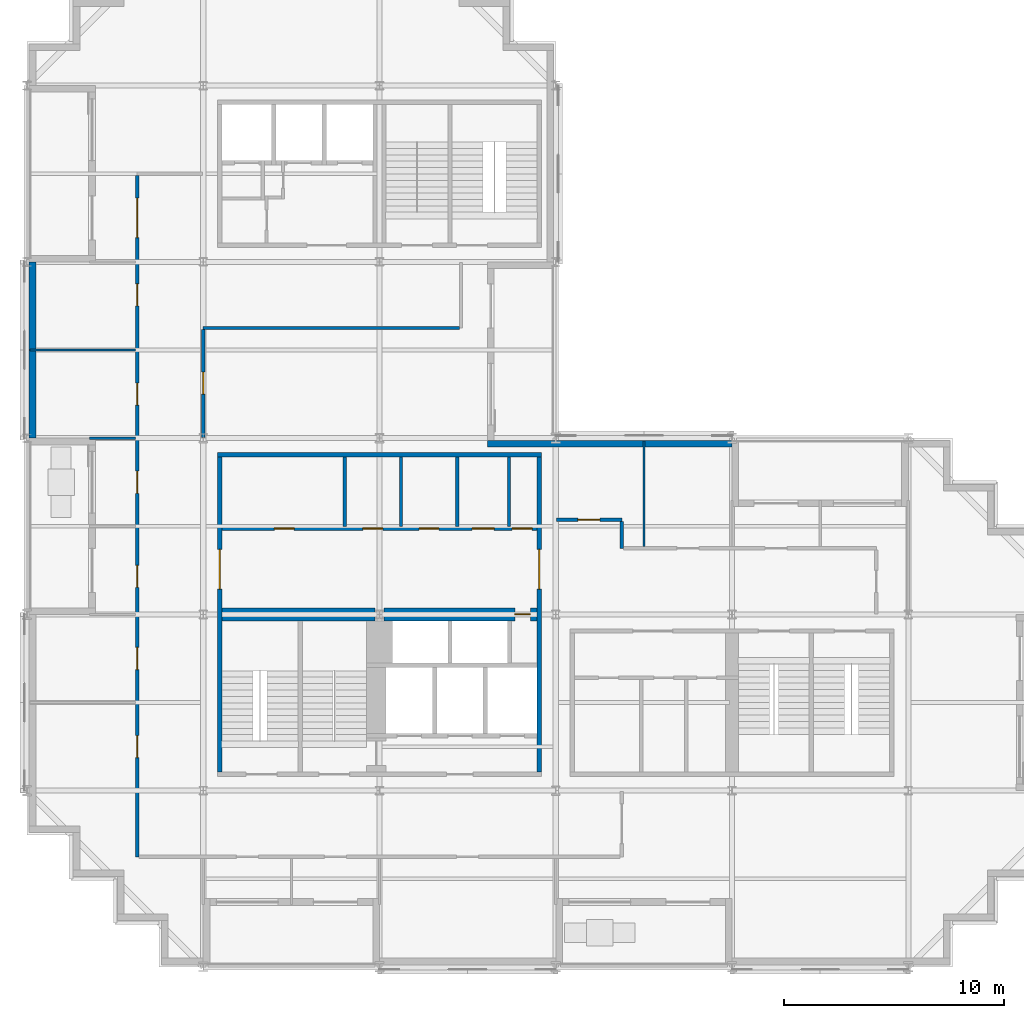
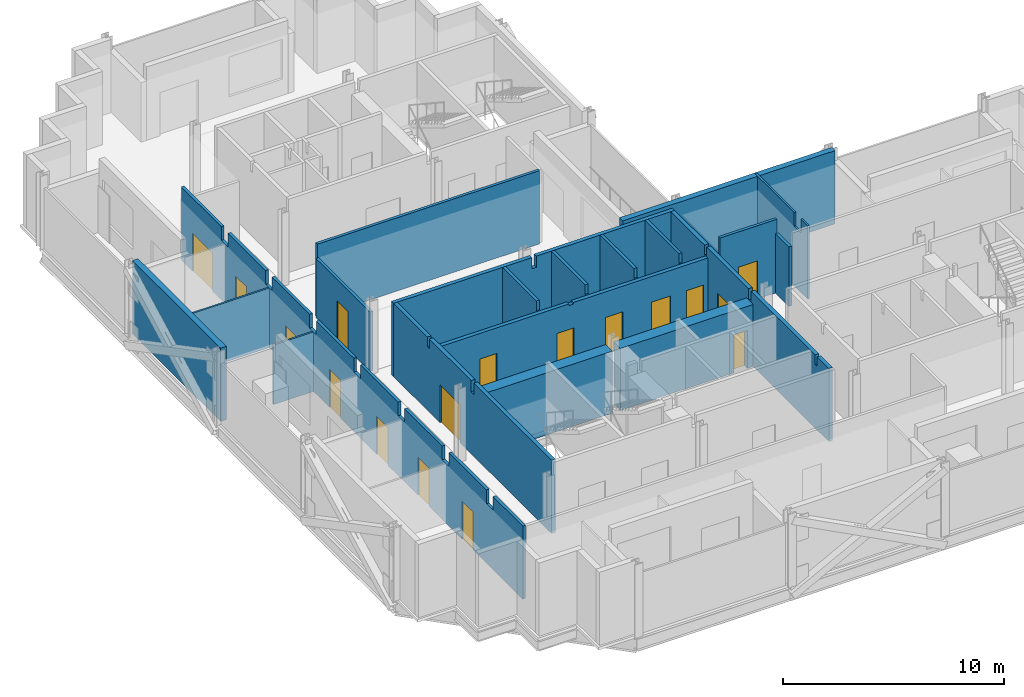
# One storey, part 6 of 12: 20 walls, 17 doors, 17 openings.
"""IFC4 building model written with IfcOpenShell, lengths in metres."""

from ifc_helpers import new_model, si_unit, direction, frame, frame_2d, origin, place, context, subcontext, project, spatial, polyline, rectangle, outline, extrude, material, layer, layer_set, type_object, element, fill, save


model = new_model("IFC4")

# Units and contexts
model_context = context("Model", 3, precision=1e-05, world=origin(), true_north=direction((0.0, 1.0)))
body_context = subcontext(model_context, "Body", "Model", "MODEL_VIEW")
ifc_project = project(units=[si_unit("LENGTHUNIT", "METRE"), si_unit("AREAUNIT", "SQUARE_METRE"), si_unit("VOLUMEUNIT", "CUBIC_METRE"), si_unit("PLANEANGLEUNIT", "RADIAN"), si_unit("MASSUNIT", "GRAM", prefix="KILO")], contexts=[model_context])

# Site, building, storey
site_placement = place(None, origin())
site = spatial("IfcSite", under=ifc_project, at=site_placement, CompositionType="ELEMENT")
building_placement = place(site_placement, origin())
building = spatial("IfcBuilding", under=site, at=building_placement, Name="Immortelle Media Tower", CompositionType="ELEMENT")
storey_placement = place(building_placement, frame((0.0, 0.0, 136.800048828125)))
storey = spatial("IfcBuildingStorey", under=building, at=storey_placement, Name="L27", CompositionType="ELEMENT", Elevation=136.800048828125)

# Wall, opening, door
ifc_material_1 = material(Name="Fire-rated masonry blockwork", Category="masonry")
ifc_layer_1 = layer(ifc_material_1, 0.60009765625)
ifc_layer_set_1 = layer_set([ifc_layer_1], Name="Fire-rated masonry blockwork")
wall_type_1 = type_object("IfcWallType", Name="Core grid-line wall 600", PredefinedType="PARTITIONING", material=ifc_layer_set_1)
wall_1_placement = place(storey_placement, frame((16.21044921875, 16.0, 0.0), z_axis=(0.0, 0.0, 1.0), x_axis=(1.0, 0.0, 0.0)))
wall_1 = element("IfcWall", 1, at=wall_1_placement, inside=storey, type_object=wall_type_1, Name="Core grid-line wall SW", PredefinedType="PARTITIONING", context=body_context, shape_type="SweptSolid", body=[
    extrude(rectangle(XDim=6.939453125, YDim=0.60009765625, at=frame_2d((3.4697265625, 0.0))), origin(), (0.0, 0.0, 1.0), 3.431884765625),
])
opening_1_placement = place(wall_1_placement, frame((6.639404296875, 0.0, 0.0), z_axis=(0.0, 0.0, 1.0), x_axis=(-1.0, 0.0, 0.0)))
opening_1 = element("IfcOpeningElement", 2, at=opening_1_placement, cuts=wall_1, Name="Opening C2-K014", PredefinedType="OPENING", context=body_context, shape_type="SweptSolid", body=[
    extrude(rectangle(XDim=0.699951171875, YDim=2.10009765625, at=frame_2d((0.35009765625, 1.050048828125))), frame((0.0, 0.31005859375, 0.0), z_axis=(0.0, -1.0, 0.0), x_axis=(1.0, 0.0, 0.0)), (0.0, 0.0, 1.0), 0.6201171875),
])
ifc_material_2 = material(Name="Galvanised steel door leaf and frame ASTM A653", Category="steel")
door_type_1 = type_object("IfcDoorType", Name="Service door 700 x 2100", OperationType="NOTDEFINED", PredefinedType="NOTDEFINED", material=ifc_material_2)
door_1_placement = place(opening_1_placement, origin())
door_1 = element("IfcDoor", 3, at=door_1_placement, inside=storey, type_object=door_type_1, Name="Service C2-K014", OperationType="SINGLE_SWING_LEFT", OverallHeight=2.10009765625, OverallWidth=0.699951171875, PredefinedType="NOTDEFINED", context=body_context, shape_type="SweptSolid", body=[
    extrude(rectangle(XDim=0.699951171875, YDim=2.10009765625, at=frame_2d((0.35009765625, 1.050048828125))), frame((0.0, 0.02490234375, 0.0), z_axis=(0.0, -1.0, 0.0), x_axis=(1.0, 0.0, 0.0)), (0.0, 0.0, 1.0), 0.050048828125),
])
fill(opening_1, door_1)

# Walls
ifc_material_3 = material(Name="Fire-rated gypsum board", Category="gypsum")
ifc_layer_2 = layer(ifc_material_3, 0.02490234375)
ifc_material_4 = material(Name="Steel ASTM A653 SS Gr 50 stud frame with mineral wool", Category="steel")
ifc_layer_3 = layer(ifc_material_4, 0.10009765625)
ifc_layer_4 = layer(ifc_material_3, 0.02490234375)
ifc_layer_set_2 = layer_set([ifc_layer_2, ifc_layer_3, ifc_layer_4], Name="Steel ASTM A653 SS Gr 50 stud frame with mineral wool")
wall_type_2 = type_object("IfcWallType", Name="Core partition 150", PredefinedType="PARTITIONING", material=ifc_layer_set_2)
for number, where, z_axis, x_axis, name in (
    (4, (14.425048828125, 20.0, 0.0), (0.0, 0.0, 1.0), (0.0, 1.0, 0.0), "Core partition SW"),
    (5, (16.97509765625, 20.0, 0.0), (0.0, 0.0, 1.0), (0.0, 1.0, 0.0), "Core partition SW"),
    (6, (19.52490234375, 20.0, 0.0), (0.0, 0.0, 1.0), (0.0, 1.0, 0.0), "Core partition SW"),
    (7, (21.875, 20.0, 0.0), (0.0, 0.0, 1.0), (0.0, 1.0, 0.0), "Core partition SW"),
):
    element("IfcWall", number, at=place(storey_placement, frame(where, z_axis=z_axis, x_axis=x_axis)), inside=storey, type_object=wall_type_2, Name=name, PredefinedType="PARTITIONING", context=body_context, shape_type="SweptSolid", body=[
        extrude(outline(polyline([(0.0, 0.0), (3.14990234375, 0.0), (3.14990234375, 4.050048828125), (0.08740234375, 4.050048828125), (0.08642578125, 3.51806640625), (0.0, 3.51806640625), (0.0, 0.0)])), frame((0.0, 0.074951171875, 0.0), z_axis=(0.0, -1.0, 0.0), x_axis=(1.0, 0.0, 0.0)), (0.0, 0.0, 1.0), 0.14990234375),
    ])
ifc_layer_5 = layer(ifc_material_3, 0.03759765625)
ifc_layer_6 = layer(ifc_material_4, 0.125)
ifc_layer_7 = layer(ifc_material_3, 0.03759765625)
ifc_layer_set_3 = layer_set([ifc_layer_5, ifc_layer_6, ifc_layer_7], Name="Steel ASTM A653 SS Gr 50 stud frame with mineral wool")
wall_type_3 = type_object("IfcWallType", Name="Core shaft wall 200", PredefinedType="PARTITIONING", material=ifc_layer_set_3)
wall_2_placement = place(storey_placement, frame((8.64990234375, 23.25, 0.0), z_axis=(0.0, 0.0, 1.0), x_axis=(1.0, 0.0, 0.0)))
element("IfcWall", 8, at=wall_2_placement, inside=storey, type_object=wall_type_3, Name="Core shaft wall SW", PredefinedType="PARTITIONING", context=body_context, shape_type="SweptSolid", body=[
    extrude(outline(polyline([(0.0, 0.0), (14.7001953125, 0.0), (14.699951171875, 4.050048828125), (7.469482421875, 4.050048828125), (7.468505859375, 3.431884765625), (7.2314453125, 3.431884765625), (7.23046875, 4.050048828125), (0.0, 4.050048828125), (0.0, 0.0)])), frame((0.0, 0.10009765625, 0.0), z_axis=(0.0, -1.0, 0.0), x_axis=(1.0, 0.0, 0.0)), (0.0, 0.0, 1.0), 0.199951171875),
])

# Wall, openings, doors
wall_3_placement = place(storey_placement, frame((8.85009765625, 19.89990234375, 0.0), z_axis=(0.0, 0.0, 1.0), x_axis=(1.0, 0.0, 0.0)))
wall_3 = element("IfcWall", 9, at=wall_3_placement, inside=storey, type_object=wall_type_3, Name="Core shaft wall SW", PredefinedType="PARTITIONING", context=body_context, shape_type="SweptSolid", body=[
    extrude(outline(polyline([(0.0, 0.0), (14.2998046875, 0.0), (14.300048828125, 3.51806640625), (7.26953125, 3.51806640625), (7.2685546875, 3.431884765625), (7.031494140625, 3.431884765625), (7.030517578125, 3.51806640625), (0.0, 3.51806640625), (0.0, 0.0)])), frame((0.0, 0.10009765625, 0.0), z_axis=(0.0, -1.0, 0.0), x_axis=(1.0, 0.0, 0.0)), (0.0, 0.0, 1.0), 0.199951171875),
])
opening_2_placement = place(wall_3_placement, frame((2.375, 0.0, 0.0)))
opening_2 = element("IfcOpeningElement", 10, at=opening_2_placement, cuts=wall_3, Name="Opening C2-K003", PredefinedType="OPENING", context=body_context, shape_type="SweptSolid", body=[
    extrude(rectangle(XDim=0.89990234375, YDim=2.10009765625, at=frame_2d((0.449951171875, 1.050048828125))), frame((0.0, 0.10986328125, 0.0), z_axis=(0.0, -1.0, 0.0), x_axis=(1.0, 0.0, 0.0)), (0.0, 0.0, 1.0), 0.219970703125),
])
opening_3_placement = place(wall_3_placement, frame((6.39990234375, 0.0, 0.0)))
opening_3 = element("IfcOpeningElement", 11, at=opening_3_placement, cuts=wall_3, Name="Opening C2-K005", PredefinedType="OPENING", context=body_context, shape_type="SweptSolid", body=[
    extrude(rectangle(XDim=0.89990234375, YDim=2.10009765625, at=frame_2d((0.449951171875, 1.050048828125))), frame((0.0, 0.10986328125, 0.0), z_axis=(0.0, -1.0, 0.0), x_axis=(1.0, 0.0, 0.0)), (0.0, 0.0, 1.0), 0.219970703125),
])
opening_4_placement = place(wall_3_placement, frame((8.949951171875, 0.0, 0.0)))
opening_4 = element("IfcOpeningElement", 12, at=opening_4_placement, cuts=wall_3, Name="Opening C2-K008", PredefinedType="OPENING", context=body_context, shape_type="SweptSolid", body=[
    extrude(rectangle(XDim=0.89990234375, YDim=2.10009765625, at=frame_2d((0.449951171875, 1.050048828125))), frame((0.0, 0.10986328125, 0.0), z_axis=(0.0, -1.0, 0.0), x_axis=(1.0, 0.0, 0.0)), (0.0, 0.0, 1.0), 0.219970703125),
])
opening_5_placement = place(wall_3_placement, frame((11.35009765625, 0.0, 0.0)))
opening_5 = element("IfcOpeningElement", 13, at=opening_5_placement, cuts=wall_3, Name="Opening C2-K011", PredefinedType="OPENING", context=body_context, shape_type="SweptSolid", body=[
    extrude(rectangle(XDim=1.0, YDim=2.10009765625, at=frame_2d((0.5, 1.050048828125))), frame((0.0, 0.10986328125, 0.0), z_axis=(0.0, -1.0, 0.0), x_axis=(1.0, 0.0, 0.0)), (0.0, 0.0, 1.0), 0.219970703125),
])
opening_6_placement = place(wall_3_placement, frame((13.175048828125, 0.0, 0.0)))
opening_6 = element("IfcOpeningElement", 14, at=opening_6_placement, cuts=wall_3, Name="Opening C2-K013", PredefinedType="OPENING", context=body_context, shape_type="SweptSolid", body=[
    extrude(rectangle(XDim=0.89990234375, YDim=2.10009765625, at=frame_2d((0.449951171875, 1.050048828125))), frame((0.0, 0.10986328125, 0.0), z_axis=(0.0, -1.0, 0.0), x_axis=(1.0, 0.0, 0.0)), (0.0, 0.0, 1.0), 0.219970703125),
])
ifc_material_5 = material(Name="Timber", Category="wood")
door_type_2 = type_object("IfcDoorType", Name="Accessible toilet door 1000 x 2100", OperationType="NOTDEFINED", PredefinedType="NOTDEFINED", material=ifc_material_5)
door_2_placement = place(opening_5_placement, origin())
door_2 = element("IfcDoor", 15, at=door_2_placement, inside=storey, type_object=door_type_2, Name="Accessible toilet C2-K011", OperationType="SINGLE_SWING_LEFT", OverallHeight=2.10009765625, OverallWidth=1.0, PredefinedType="NOTDEFINED", context=body_context, shape_type="SweptSolid", body=[
    extrude(rectangle(XDim=1.0, YDim=2.10009765625, at=frame_2d((0.5, 1.050048828125))), frame((0.0, 0.02490234375, 0.0), z_axis=(0.0, -1.0, 0.0), x_axis=(1.0, 0.0, 0.0)), (0.0, 0.0, 1.0), 0.050048828125),
])
fill(opening_5, door_2)
door_type_3 = type_object("IfcDoorType", Name="Room door 900 x 2100", OperationType="NOTDEFINED", PredefinedType="NOTDEFINED", material=ifc_material_5)
door_3_placement = place(opening_2_placement, origin())
door_3 = element("IfcDoor", 16, at=door_3_placement, inside=storey, type_object=door_type_3, Name="Room C2-K003", OperationType="SINGLE_SWING_LEFT", OverallHeight=2.10009765625, OverallWidth=0.89990234375, PredefinedType="NOTDEFINED", context=body_context, shape_type="SweptSolid", body=[
    extrude(rectangle(XDim=0.89990234375, YDim=2.10009765625, at=frame_2d((0.449951171875, 1.050048828125))), frame((0.0, 0.02490234375, 0.0), z_axis=(0.0, -1.0, 0.0), x_axis=(1.0, 0.0, 0.0)), (0.0, 0.0, 1.0), 0.050048828125),
])
fill(opening_2, door_3)
door_type_4 = type_object("IfcDoorType", Name="Service door 900 x 2100", OperationType="NOTDEFINED", PredefinedType="NOTDEFINED", material=ifc_material_2)
door_4_placement = place(opening_6_placement, origin())
door_4 = element("IfcDoor", 17, at=door_4_placement, inside=storey, type_object=door_type_4, Name="Service C2-K013", OperationType="SINGLE_SWING_RIGHT", OverallHeight=2.10009765625, OverallWidth=0.89990234375, PredefinedType="NOTDEFINED", context=body_context, shape_type="SweptSolid", body=[
    extrude(rectangle(XDim=0.89990234375, YDim=2.10009765625, at=frame_2d((0.449951171875, 1.050048828125))), frame((0.0, 0.02490234375, 0.0), z_axis=(0.0, -1.0, 0.0), x_axis=(1.0, 0.0, 0.0)), (0.0, 0.0, 1.0), 0.050048828125),
])
fill(opening_6, door_4)
door_type_5 = type_object("IfcDoorType", Name="Toilet door 900 x 2100", OperationType="NOTDEFINED", PredefinedType="NOTDEFINED", material=ifc_material_5)
door_5_placement = place(opening_3_placement, origin())
door_5 = element("IfcDoor", 18, at=door_5_placement, inside=storey, type_object=door_type_5, Name="Toilet C2-K005", OperationType="SINGLE_SWING_RIGHT", OverallHeight=2.10009765625, OverallWidth=0.89990234375, PredefinedType="NOTDEFINED", context=body_context, shape_type="SweptSolid", body=[
    extrude(rectangle(XDim=0.89990234375, YDim=2.10009765625, at=frame_2d((0.449951171875, 1.050048828125))), frame((0.0, 0.02490234375, 0.0), z_axis=(0.0, -1.0, 0.0), x_axis=(1.0, 0.0, 0.0)), (0.0, 0.0, 1.0), 0.050048828125),
])
fill(opening_3, door_5)
door_6_placement = place(opening_4_placement, origin())
door_6 = element("IfcDoor", 19, at=door_6_placement, inside=storey, type_object=door_type_5, Name="Toilet C2-K008", OperationType="SINGLE_SWING_RIGHT", OverallHeight=2.10009765625, OverallWidth=0.89990234375, PredefinedType="NOTDEFINED", context=body_context, shape_type="SweptSolid", body=[
    extrude(rectangle(XDim=0.89990234375, YDim=2.10009765625, at=frame_2d((0.449951171875, 1.050048828125))), frame((0.0, 0.02490234375, 0.0), z_axis=(0.0, -1.0, 0.0), x_axis=(1.0, 0.0, 0.0)), (0.0, 0.0, 1.0), 0.050048828125),
])
fill(opening_4, door_6)

# Wall, opening, door
wall_4_placement = place(storey_placement, frame((23.25, 8.85009765625, 0.0), z_axis=(0.0, 0.0, 1.0), x_axis=(0.0, 1.0, 0.0)))
wall_4 = element("IfcWall", 20, at=wall_4_placement, inside=storey, type_object=wall_type_3, Name="Core shaft wall SW", PredefinedType="PARTITIONING", context=body_context, shape_type="SweptSolid", body=[
    extrude(outline(polyline([(0.0, 0.0), (14.2998046875, 0.0), (14.300048828125, 4.050048828125), (11.237548828125, 4.050048828125), (11.236572265625, 3.51806640625), (11.0634765625, 3.51806640625), (11.0625, 4.050048828125), (7.26953125, 4.050048828125), (7.2685546875, 3.431884765625), (7.031494140625, 3.431884765625), (7.030517578125, 4.050048828125), (1.237548828125, 4.050048828125), (1.236572265625, 3.51806640625), (1.0634765625, 3.51806640625), (1.0625, 4.050048828125), (0.0, 4.050048828125), (0.0, 0.0)])), frame((0.0, 0.10009765625, 0.0), z_axis=(0.0, -1.0, 0.0), x_axis=(1.0, 0.0, 0.0)), (0.0, 0.0, 1.0), 0.199951171875),
])
opening_7_placement = place(wall_4_placement, frame((8.300048828125, 0.0, 0.0)))
opening_7 = element("IfcOpeningElement", 21, at=opening_7_placement, cuts=wall_4, Name="Opening C2-K015", PredefinedType="OPENING", context=body_context, shape_type="SweptSolid", body=[
    extrude(rectangle(XDim=1.800048828125, YDim=2.10009765625, at=frame_2d((0.89990234375, 1.050048828125))), frame((0.0, 0.10986328125, 0.0), z_axis=(0.0, -1.0, 0.0), x_axis=(1.0, 0.0, 0.0)), (0.0, 0.0, 1.0), 0.219970703125),
])
door_type_6 = type_object("IfcDoorType", Name="Lift lobby door 1800 x 2100", OperationType="DOUBLE_DOOR_SINGLE_SWING", PredefinedType="NOTDEFINED", material=ifc_material_2)
door_7_placement = place(opening_7_placement, origin())
door_7 = element("IfcDoor", 22, at=door_7_placement, inside=storey, type_object=door_type_6, Name="Lift lobby C2-K015", OperationType="DOUBLE_DOOR_SINGLE_SWING", OverallHeight=2.10009765625, OverallWidth=1.800048828125, PredefinedType="NOTDEFINED", context=body_context, shape_type="SweptSolid", body=[
    extrude(rectangle(XDim=1.800048828125, YDim=2.10009765625, at=frame_2d((0.89990234375, 1.050048828125))), frame((0.0, 0.02490234375, 0.0), z_axis=(0.0, -1.0, 0.0), x_axis=(1.0, 0.0, 0.0)), (0.0, 0.0, 1.0), 0.050048828125),
])
fill(opening_7, door_7)

# Wall, openings, doors
ifc_layer_8 = layer(ifc_material_3, 0.012451171875)
ifc_layer_9 = layer(ifc_material_4, 0.125)
ifc_layer_10 = layer(ifc_material_3, 0.012451171875)
ifc_layer_set_4 = layer_set([ifc_layer_8, ifc_layer_9, ifc_layer_10], Name="Steel ASTM A653 SS Gr 50 stud frame with mineral wool")
wall_type_4 = type_object("IfcWallType", Name="Corridor wall 150", PredefinedType="PARTITIONING", material=ifc_layer_set_4)
wall_5_placement = place(storey_placement, frame((5.0, 5.0, 0.0), z_axis=(0.0, 0.0, 1.0), x_axis=(0.0, 1.0, 0.0)))
wall_5 = element("IfcWall", 23, at=wall_5_placement, inside=storey, type_object=wall_type_4, Name="Partition L27-006", PredefinedType="PARTITIONING", context=body_context, shape_type="SweptSolid", body=[
    extrude(outline(polyline([(0.0, 0.0), (30.925048828125, 0.0), (30.925048828125, 4.050048828125), (27.300048828125, 4.050048828125), (27.298095703125, 3.287841796875), (26.701904296875, 3.287841796875), (26.699951171875, 4.050048828125), (23.300048828125, 4.050048828125), (23.298095703125, 3.287841796875), (22.701904296875, 3.287841796875), (22.699951171875, 4.050048828125), (19.300048828125, 4.050048828125), (19.298095703125, 3.287841796875), (18.701904296875, 3.287841796875), (18.699951171875, 4.050048828125), (15.300048828125, 4.050048828125), (15.298095703125, 3.287841796875), (14.701904296875, 3.287841796875), (14.699951171875, 4.050048828125), (11.300048828125, 4.050048828125), (11.298095703125, 3.287841796875), (10.701904296875, 3.287841796875), (10.699951171875, 4.050048828125), (7.300048828125, 4.050048828125), (7.298095703125, 3.287841796875), (6.701904296875, 3.287841796875), (6.699951171875, 4.050048828125), (3.300048828125, 4.050048828125), (3.298095703125, 3.287841796875), (2.701904296875, 3.287841796875), (2.699951171875, 4.050048828125), (0.0, 4.050048828125), (0.0, 0.0)])), frame((0.0, 0.074951171875, 0.0), z_axis=(0.0, -1.0, 0.0), x_axis=(1.0, 0.0, 0.0)), (0.0, 0.0, 1.0), 0.14990234375),
])
opening_8_placement = place(wall_5_placement, frame((4.5, 0.0, 0.0)))
opening_8 = element("IfcOpeningElement", 24, at=opening_8_placement, cuts=wall_5, Name="Opening C2-F005", PredefinedType="OPENING", context=body_context, shape_type="SweptSolid", body=[
    extrude(rectangle(XDim=1.0, YDim=2.10009765625, at=frame_2d((0.5, 1.050048828125))), frame((0.0, 0.0849609375, 0.0), z_axis=(0.0, -1.0, 0.0), x_axis=(1.0, 0.0, 0.0)), (0.0, 0.0, 1.0), 0.169921875),
])
opening_9_placement = place(wall_5_placement, frame((8.5, 0.0, 0.0)))
opening_9 = element("IfcOpeningElement", 25, at=opening_9_placement, cuts=wall_5, Name="Opening C2-F006", PredefinedType="OPENING", context=body_context, shape_type="SweptSolid", body=[
    extrude(rectangle(XDim=1.0, YDim=2.10009765625, at=frame_2d((0.5, 1.050048828125))), frame((0.0, 0.0849609375, 0.0), z_axis=(0.0, -1.0, 0.0), x_axis=(1.0, 0.0, 0.0)), (0.0, 0.0, 1.0), 0.169921875),
])
opening_10_placement = place(wall_5_placement, frame((12.22509765625, 0.0, 0.0)))
opening_10 = element("IfcOpeningElement", 26, at=opening_10_placement, cuts=wall_5, Name="Opening C2-F009", PredefinedType="OPENING", context=body_context, shape_type="SweptSolid", body=[
    extrude(rectangle(XDim=1.0, YDim=2.10009765625, at=frame_2d((0.5, 1.050048828125))), frame((0.0, 0.0849609375, 0.0), z_axis=(0.0, -1.0, 0.0), x_axis=(1.0, 0.0, 0.0)), (0.0, 0.0, 1.0), 0.169921875),
])
opening_11_placement = place(wall_5_placement, frame((16.5, 0.0, 0.0)))
opening_11 = element("IfcOpeningElement", 27, at=opening_11_placement, cuts=wall_5, Name="Opening C2-F010", PredefinedType="OPENING", context=body_context, shape_type="SweptSolid", body=[
    extrude(rectangle(XDim=1.0, YDim=2.10009765625, at=frame_2d((0.5, 1.050048828125))), frame((0.0, 0.0849609375, 0.0), z_axis=(0.0, -1.0, 0.0), x_axis=(1.0, 0.0, 0.0)), (0.0, 0.0, 1.0), 0.169921875),
])
opening_12_placement = place(wall_5_placement, frame((20.5, 0.0, 0.0)))
opening_12 = element("IfcOpeningElement", 28, at=opening_12_placement, cuts=wall_5, Name="Opening C2-F014", PredefinedType="OPENING", context=body_context, shape_type="SweptSolid", body=[
    extrude(rectangle(XDim=1.0, YDim=2.10009765625, at=frame_2d((0.5, 1.050048828125))), frame((0.0, 0.0849609375, 0.0), z_axis=(0.0, -1.0, 0.0), x_axis=(1.0, 0.0, 0.0)), (0.0, 0.0, 1.0), 0.169921875),
])
opening_13_placement = place(wall_5_placement, frame((25.0, 0.0, 0.0)))
opening_13 = element("IfcOpeningElement", 29, at=opening_13_placement, cuts=wall_5, Name="Opening C2-F015", PredefinedType="OPENING", context=body_context, shape_type="SweptSolid", body=[
    extrude(rectangle(XDim=1.0, YDim=2.10009765625, at=frame_2d((0.5, 1.050048828125))), frame((0.0, 0.0849609375, 0.0), z_axis=(0.0, -1.0, 0.0), x_axis=(1.0, 0.0, 0.0)), (0.0, 0.0, 1.0), 0.169921875),
])
opening_14_placement = place(wall_5_placement, frame((28.10009765625, 0.0, 0.0)))
opening_14 = element("IfcOpeningElement", 30, at=opening_14_placement, cuts=wall_5, Name="Opening C2-F016", PredefinedType="OPENING", context=body_context, shape_type="SweptSolid", body=[
    extrude(rectangle(XDim=1.800048828125, YDim=2.10009765625, at=frame_2d((0.89990234375, 1.050048828125))), frame((0.0, 0.0849609375, 0.0), z_axis=(0.0, -1.0, 0.0), x_axis=(1.0, 0.0, 0.0)), (0.0, 0.0, 1.0), 0.169921875),
])
ifc_material_6 = material(Name="Timber veneered door leaf, galvanised steel frame ASTM A653", Category="steel")
door_type_7 = type_object("IfcDoorType", Name="Room door 1000 x 2100", OperationType="NOTDEFINED", PredefinedType="DOOR", material=ifc_material_6)
door_8_placement = place(opening_8_placement, origin())
door_8 = element("IfcDoor", 31, at=door_8_placement, inside=storey, type_object=door_type_7, Name="Door C2-F005", OperationType="SINGLE_SWING_RIGHT", OverallHeight=2.10009765625, OverallWidth=1.0, PredefinedType="DOOR", context=body_context, shape_type="SweptSolid", body=[
    extrude(rectangle(XDim=1.0, YDim=2.10009765625, at=frame_2d((0.5, 1.050048828125))), frame((0.0, 0.02490234375, 0.0), z_axis=(0.0, -1.0, 0.0), x_axis=(1.0, 0.0, 0.0)), (0.0, 0.0, 1.0), 0.050048828125),
])
fill(opening_8, door_8)
door_9_placement = place(opening_9_placement, origin())
door_9 = element("IfcDoor", 32, at=door_9_placement, inside=storey, type_object=door_type_7, Name="Door C2-F006", OperationType="SINGLE_SWING_RIGHT", OverallHeight=2.10009765625, OverallWidth=1.0, PredefinedType="DOOR", context=body_context, shape_type="SweptSolid", body=[
    extrude(rectangle(XDim=1.0, YDim=2.10009765625, at=frame_2d((0.5, 1.050048828125))), frame((0.0, 0.02490234375, 0.0), z_axis=(0.0, -1.0, 0.0), x_axis=(1.0, 0.0, 0.0)), (0.0, 0.0, 1.0), 0.050048828125),
])
fill(opening_9, door_9)
door_10_placement = place(opening_10_placement, origin())
door_10 = element("IfcDoor", 33, at=door_10_placement, inside=storey, type_object=door_type_7, Name="Door C2-F009", OperationType="SINGLE_SWING_LEFT", OverallHeight=2.10009765625, OverallWidth=1.0, PredefinedType="DOOR", context=body_context, shape_type="SweptSolid", body=[
    extrude(rectangle(XDim=1.0, YDim=2.10009765625, at=frame_2d((0.5, 1.050048828125))), frame((0.0, 0.02490234375, 0.0), z_axis=(0.0, -1.0, 0.0), x_axis=(1.0, 0.0, 0.0)), (0.0, 0.0, 1.0), 0.050048828125),
])
fill(opening_10, door_10)
door_11_placement = place(opening_11_placement, origin())
door_11 = element("IfcDoor", 34, at=door_11_placement, inside=storey, type_object=door_type_7, Name="Door C2-F010", OperationType="SINGLE_SWING_RIGHT", OverallHeight=2.10009765625, OverallWidth=1.0, PredefinedType="DOOR", context=body_context, shape_type="SweptSolid", body=[
    extrude(rectangle(XDim=1.0, YDim=2.10009765625, at=frame_2d((0.5, 1.050048828125))), frame((0.0, 0.02490234375, 0.0), z_axis=(0.0, -1.0, 0.0), x_axis=(1.0, 0.0, 0.0)), (0.0, 0.0, 1.0), 0.050048828125),
])
fill(opening_11, door_11)
door_12_placement = place(opening_12_placement, origin())
door_12 = element("IfcDoor", 35, at=door_12_placement, inside=storey, type_object=door_type_7, Name="Door C2-F014", OperationType="SINGLE_SWING_LEFT", OverallHeight=2.10009765625, OverallWidth=1.0, PredefinedType="DOOR", context=body_context, shape_type="SweptSolid", body=[
    extrude(rectangle(XDim=1.0, YDim=2.10009765625, at=frame_2d((0.5, 1.050048828125))), frame((0.0, 0.02490234375, 0.0), z_axis=(0.0, -1.0, 0.0), x_axis=(1.0, 0.0, 0.0)), (0.0, 0.0, 1.0), 0.050048828125),
])
fill(opening_12, door_12)
door_13_placement = place(opening_13_placement, origin())
door_13 = element("IfcDoor", 36, at=door_13_placement, inside=storey, type_object=door_type_7, Name="Door C2-F015", OperationType="SINGLE_SWING_RIGHT", OverallHeight=2.10009765625, OverallWidth=1.0, PredefinedType="DOOR", context=body_context, shape_type="SweptSolid", body=[
    extrude(rectangle(XDim=1.0, YDim=2.10009765625, at=frame_2d((0.5, 1.050048828125))), frame((0.0, 0.02490234375, 0.0), z_axis=(0.0, -1.0, 0.0), x_axis=(1.0, 0.0, 0.0)), (0.0, 0.0, 1.0), 0.050048828125),
])
fill(opening_13, door_13)
door_type_8 = type_object("IfcDoorType", Name="Room door 1800 x 2100", OperationType="DOUBLE_DOOR_SINGLE_SWING", PredefinedType="DOOR", material=ifc_material_6)
door_14_placement = place(opening_14_placement, origin())
door_14 = element("IfcDoor", 37, at=door_14_placement, inside=storey, type_object=door_type_8, Name="Door C2-F016", OperationType="DOUBLE_DOOR_SINGLE_SWING", OverallHeight=2.10009765625, OverallWidth=1.800048828125, PredefinedType="DOOR", context=body_context, shape_type="SweptSolid", body=[
    extrude(rectangle(XDim=1.800048828125, YDim=2.10009765625, at=frame_2d((0.89990234375, 1.050048828125))), frame((0.0, 0.02490234375, 0.0), z_axis=(0.0, -1.0, 0.0), x_axis=(1.0, 0.0, 0.0)), (0.0, 0.0, 1.0), 0.050048828125),
])
fill(opening_14, door_14)

# Wall
wall_6_placement = place(storey_placement, frame((27.0, 19.0, 0.0), z_axis=(0.0, 0.0, 1.0), x_axis=(0.0, 1.0, 0.0)))
element("IfcWall", 38, at=wall_6_placement, inside=storey, type_object=wall_type_4, Name="Partition L27-013", PredefinedType="PARTITIONING", context=body_context, shape_type="SweptSolid", body=[
    extrude(rectangle(XDim=1.22509765625, YDim=0.14990234375, at=frame_2d((0.612548828125, 0.0))), origin(), (0.0, 0.0, 1.0), 3.287841796875),
])

# Wall, opening, door
wall_7_placement = place(storey_placement, frame((24.030029296875, 20.300048828125, 0.0), z_axis=(0.0, 0.0, 1.0), x_axis=(1.0, 0.0, 0.0)))
wall_7 = element("IfcWall", 39, at=wall_7_placement, inside=storey, type_object=wall_type_4, Name="Partition L27-018", PredefinedType="PARTITIONING", context=body_context, shape_type="SweptSolid", body=[
    extrude(rectangle(XDim=2.969970703125, YDim=0.14990234375, at=frame_2d((1.48486328125, 0.0))), origin(), (0.0, 0.0, 1.0), 4.050048828125),
])
opening_15_placement = place(wall_7_placement, frame((0.969970703125, 0.0, 0.0)))
opening_15 = element("IfcOpeningElement", 40, at=opening_15_placement, cuts=wall_7, Name="Opening C2-F011", PredefinedType="OPENING", context=body_context, shape_type="SweptSolid", body=[
    extrude(rectangle(XDim=1.0, YDim=2.10009765625, at=frame_2d((0.5, 1.050048828125))), frame((0.0, 0.0849609375, 0.0), z_axis=(0.0, -1.0, 0.0), x_axis=(1.0, 0.0, 0.0)), (0.0, 0.0, 1.0), 0.169921875),
])
door_15_placement = place(opening_15_placement, origin())
door_15 = element("IfcDoor", 41, at=door_15_placement, inside=storey, type_object=door_type_7, Name="Door C2-F011", OperationType="SINGLE_SWING_LEFT", OverallHeight=2.10009765625, OverallWidth=1.0, PredefinedType="DOOR", context=body_context, shape_type="SweptSolid", body=[
    extrude(rectangle(XDim=1.0, YDim=2.10009765625, at=frame_2d((0.5, 1.050048828125))), frame((0.0, 0.02490234375, 0.0), z_axis=(0.0, -1.0, 0.0), x_axis=(1.0, 0.0, 0.0)), (0.0, 0.0, 1.0), 0.050048828125),
])
fill(opening_15, door_15)

wall_8_placement = place(storey_placement, frame((8.0, 24.030029296875, 0.0), z_axis=(0.0, 0.0, 1.0), x_axis=(0.0, 1.0, 0.0)))
wall_8 = element("IfcWall", 42, at=wall_8_placement, inside=storey, type_object=wall_type_4, Name="Partition L27-020", PredefinedType="PARTITIONING", context=body_context, shape_type="SweptSolid", body=[
    extrude(rectangle(XDim=4.89501953125, YDim=0.14990234375, at=frame_2d((2.447509765625, 0.0))), origin(), (0.0, 0.0, 1.0), 3.287841796875),
])
opening_16_placement = place(wall_8_placement, frame((2.969970703125, 0.0, 0.0), z_axis=(0.0, 0.0, 1.0), x_axis=(-1.0, 0.0, 0.0)))
opening_16 = element("IfcOpeningElement", 43, at=opening_16_placement, cuts=wall_8, Name="Opening C2-F013", PredefinedType="OPENING", context=body_context, shape_type="SweptSolid", body=[
    extrude(rectangle(XDim=1.0, YDim=2.10009765625, at=frame_2d((0.5, 1.050048828125))), frame((0.0, 0.0849609375, 0.0), z_axis=(0.0, -1.0, 0.0), x_axis=(1.0, 0.0, 0.0)), (0.0, 0.0, 1.0), 0.169921875),
])
door_16_placement = place(opening_16_placement, origin())
door_16 = element("IfcDoor", 44, at=door_16_placement, inside=storey, type_object=door_type_7, Name="Door C2-F013", OperationType="SINGLE_SWING_RIGHT", OverallHeight=2.10009765625, OverallWidth=1.0, PredefinedType="DOOR", context=body_context, shape_type="SweptSolid", body=[
    extrude(rectangle(XDim=1.0, YDim=2.10009765625, at=frame_2d((0.5, 1.050048828125))), frame((0.0, 0.02490234375, 0.0), z_axis=(0.0, -1.0, 0.0), x_axis=(1.0, 0.0, 0.0)), (0.0, 0.0, 1.0), 0.050048828125),
])
fill(opening_16, door_16)

# Walls
wall_9_placement = place(storey_placement, frame((8.0, 29.0, 0.0), z_axis=(0.0, 0.0, 1.0), x_axis=(1.0, 0.0, 0.0)))
element("IfcWall", 45, at=wall_9_placement, inside=storey, type_object=wall_type_4, Name="Partition L27-022", PredefinedType="PARTITIONING", context=body_context, shape_type="SweptSolid", body=[
    extrude(rectangle(XDim=11.625, YDim=0.14990234375, at=frame_2d((5.8125, 0.0))), origin(), (0.0, 0.0, 1.0), 4.050048828125),
])
ifc_material_7 = material(Name="Pale aluminium cladding panel", Category="aluminium")
ifc_layer_11 = layer(ifc_material_7, 0.030029296875)
ifc_layer_12 = layer(ifc_material_4, 0.257568359375)
ifc_material_8 = material(Name="Moisture-resistant gypsum board", Category="gypsum")
ifc_layer_13 = layer(ifc_material_8, 0.012451171875)
ifc_layer_set_5 = layer_set([ifc_layer_11, ifc_layer_12, ifc_layer_13], Name="Steel ASTM A653 SS Gr 50 stud frame with mineral wool")
wall_type_5 = type_object("IfcWallType", Name="Facade wall 300", PredefinedType="SOLIDWALL", material=ifc_layer_set_5)
wall_10_placement = place(storey_placement, frame((32.0, 23.75, 0.0), z_axis=(0.0, 0.0, 1.0), x_axis=(-1.0, 0.0, 0.0)))
element("IfcWall", 46, at=wall_10_placement, inside=storey, type_object=wall_type_5, Name="Facade wall L27 N20", PredefinedType="SOLIDWALL", context=body_context, shape_type="SweptSolid", body=[
    extrude(rectangle(XDim=11.10009765625, YDim=0.300048828125, at=frame_2d((5.550048828125, 0.0))), origin(), (0.0, 0.0, 1.0), 4.050048828125),
])
wall_11_placement = place(storey_placement, frame((0.25, 32.0, 0.0), z_axis=(0.0, 0.0, 1.0), x_axis=(0.0, -1.0, 0.0)))
element("IfcWall", 47, at=wall_11_placement, inside=storey, type_object=wall_type_5, Name="Facade wall L27 W35", PredefinedType="SOLIDWALL", context=body_context, shape_type="SweptSolid", body=[
    extrude(rectangle(XDim=8.0, YDim=0.300048828125, at=frame_2d((4.0, 0.0))), origin(), (0.0, 0.0, 1.0), 4.050048828125),
])
ifc_material_9 = material(Name="Gypsum board", Category="gypsum")
ifc_layer_14 = layer(ifc_material_9, 0.012451171875)
ifc_layer_15 = layer(ifc_material_4, 0.074951171875)
ifc_layer_16 = layer(ifc_material_9, 0.012451171875)
ifc_layer_set_6 = layer_set([ifc_layer_14, ifc_layer_15, ifc_layer_16], Name="Steel ASTM A653 SS Gr 50 stud frame with mineral wool")
wall_type_6 = type_object("IfcWallType", Name="Partition 100", PredefinedType="PARTITIONING", material=ifc_layer_set_6)
wall_12_placement = place(storey_placement, frame((28.0, 19.074951171875, 0.0), z_axis=(0.0, 0.0, 1.0), x_axis=(0.0, 1.0, 0.0)))
element("IfcWall", 48, at=wall_12_placement, inside=storey, type_object=wall_type_6, Name="Partition L27-014", PredefinedType="PARTITIONING", context=body_context, shape_type="SweptSolid", body=[
    extrude(outline(polyline([(0.0, 0.0), (4.795166015625, 0.0), (4.794921875, 4.050048828125), (1.22509765625, 4.050048828125), (1.222900390625, 3.287841796875), (0.626953125, 3.287841796875), (0.625, 4.050048828125), (0.0, 4.050048828125), (0.0, 0.0)])), frame((0.0, 0.050048828125, 0.0), z_axis=(0.0, -1.0, 0.0), x_axis=(1.0, 0.0, 0.0)), (0.0, 0.0, 1.0), 0.10009765625),
])
wall_13_placement = place(storey_placement, frame((2.830078125, 24.0, 0.0), z_axis=(0.0, 0.0, 1.0), x_axis=(1.0, 0.0, 0.0)))
element("IfcWall", 49, at=wall_13_placement, inside=storey, type_object=wall_type_6, Name="Partition L27-019", PredefinedType="PARTITIONING", context=body_context, shape_type="SweptSolid", body=[
    extrude(rectangle(XDim=2.094970703125, YDim=0.10009765625, at=frame_2d((1.04736328125, 0.0))), origin(), (0.0, 0.0, 1.0), 3.287841796875),
])
wall_14_placement = place(storey_placement, frame((0.1298828125, 28.0, 0.0), z_axis=(0.0, 0.0, 1.0), x_axis=(1.0, 0.0, 0.0)))
element("IfcWall", 50, at=wall_14_placement, inside=storey, type_object=wall_type_6, Name="Partition L27-021", PredefinedType="PARTITIONING", context=body_context, shape_type="SweptSolid", body=[
    extrude(rectangle(XDim=4.795166015625, YDim=0.10009765625, at=frame_2d((2.3974609375, 0.0))), origin(), (0.0, 0.0, 1.0), 3.287841796875),
])

# Wall, opening, door
ifc_material_10 = material(Name="Concrete C60", Category="concrete")
ifc_layer_17 = layer(ifc_material_10, 0.199951171875)
ifc_layer_set_7 = layer_set([ifc_layer_17], Name="Concrete C60")
wall_type_7 = type_object("IfcWallType", Name="Stair shaft wall 200", PredefinedType="PARTITIONING", material=ifc_layer_set_7)
wall_15_placement = place(storey_placement, frame((8.75, 8.85009765625, 0.0), z_axis=(0.0, 0.0, 1.0), x_axis=(0.0, 1.0, 0.0)))
wall_15 = element("IfcWall", 51, at=wall_15_placement, inside=storey, type_object=wall_type_7, Name="Stair shaft wall SW", PredefinedType="PARTITIONING", context=body_context, shape_type="SweptSolid", body=[
    extrude(outline(polyline([(0.0, 0.0), (14.2998046875, 0.0), (14.300048828125, 4.050048828125), (11.237548828125, 4.050048828125), (11.236572265625, 3.51806640625), (11.0634765625, 3.51806640625), (11.0625, 4.050048828125), (7.26953125, 4.050048828125), (7.2685546875, 3.431884765625), (7.031494140625, 3.431884765625), (7.030517578125, 4.050048828125), (0.0, 4.050048828125), (0.0, 0.0)])), frame((0.0, 0.10009765625, 0.0), z_axis=(0.0, -1.0, 0.0), x_axis=(1.0, 0.0, 0.0)), (0.0, 0.0, 1.0), 0.199951171875),
])
opening_17_placement = place(wall_15_placement, frame((8.300048828125, 0.0, 0.0)))
opening_17 = element("IfcOpeningElement", 52, at=opening_17_placement, cuts=wall_15, Name="Opening C2-K001", PredefinedType="OPENING", context=body_context, shape_type="SweptSolid", body=[
    extrude(rectangle(XDim=1.800048828125, YDim=2.10009765625, at=frame_2d((0.89990234375, 1.050048828125))), frame((0.0, 0.10986328125, 0.0), z_axis=(0.0, -1.0, 0.0), x_axis=(1.0, 0.0, 0.0)), (0.0, 0.0, 1.0), 0.219970703125),
])
door_17_placement = place(opening_17_placement, origin())
door_17 = element("IfcDoor", 53, at=door_17_placement, inside=storey, type_object=door_type_6, Name="Lift lobby C2-K001", OperationType="DOUBLE_DOOR_SINGLE_SWING", OverallHeight=2.10009765625, OverallWidth=1.800048828125, PredefinedType="NOTDEFINED", context=body_context, shape_type="SweptSolid", body=[
    extrude(rectangle(XDim=1.800048828125, YDim=2.10009765625, at=frame_2d((0.89990234375, 1.050048828125))), frame((0.0, 0.02490234375, 0.0), z_axis=(0.0, -1.0, 0.0), x_axis=(1.0, 0.0, 0.0)), (0.0, 0.0, 1.0), 0.050048828125),
])
fill(opening_17, door_17)

# Wall
ifc_layer_18 = layer(ifc_material_10, 0.60009765625)
ifc_layer_set_8 = layer_set([ifc_layer_18], Name="Concrete C60")
wall_type_8 = type_object("IfcWallType", Name="Stair shaft wall 600", PredefinedType="PARTITIONING", material=ifc_layer_set_8)
wall_16_placement = place(storey_placement, frame((8.85009765625, 16.0, 0.0), z_axis=(0.0, 0.0, 1.0), x_axis=(1.0, 0.0, 0.0)))
element("IfcWall", 54, at=wall_16_placement, inside=storey, type_object=wall_type_8, Name="Stair shaft wall SW", PredefinedType="PARTITIONING", context=body_context, shape_type="SweptSolid", body=[
    extrude(rectangle(XDim=6.939453125, YDim=0.60009765625, at=frame_2d((3.4697265625, 0.0))), origin(), (0.0, 0.0, 1.0), 3.431884765625),
])

save(model, "model.ifc")
